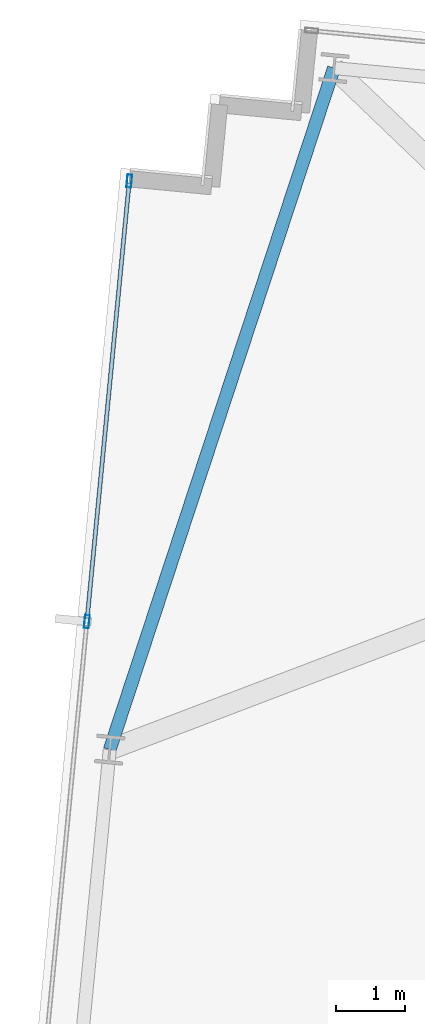
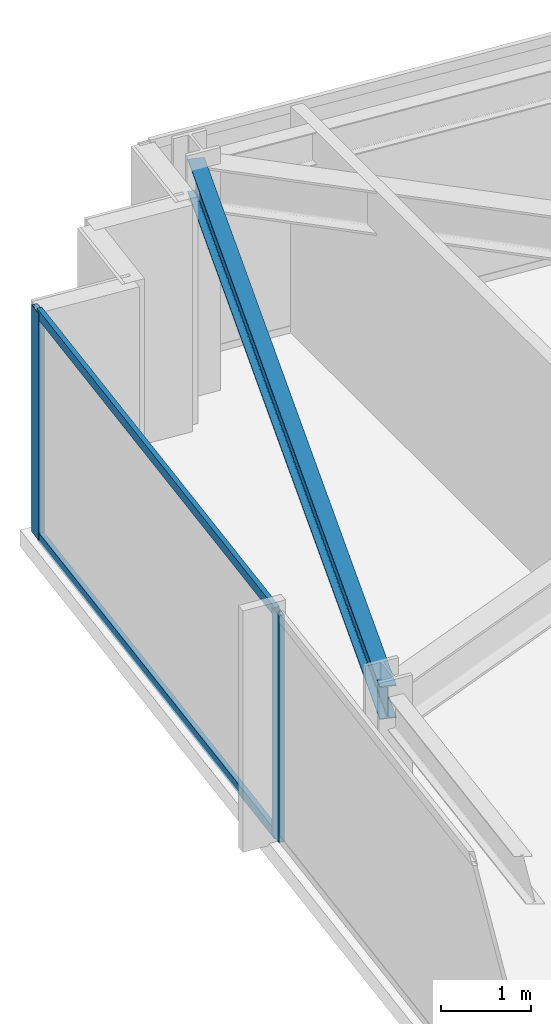
# One storey, part 21 of 37: 4 members, 1 beam, 1 element without a shape of its own.
"""IFC4 building model written with IfcOpenShell, lengths in metres."""

from ifc_helpers import new_model, si_unit, direction, frame, origin, origin_2d, place, context, subcontext, project, spatial, hollow_rectangle, i_section, extrude, material, material_profile, profile_set, type_object, element, aggregate, save


model = new_model("IFC4")

# Units and contexts
model_context = context("Model", 3, precision=1e-05, world=origin(), true_north=direction((0.0, 1.0)))
body_context = subcontext(model_context, "Body", "Model", "MODEL_VIEW")
ifc_project = project(units=[si_unit("LENGTHUNIT", "METRE"), si_unit("AREAUNIT", "SQUARE_METRE"), si_unit("VOLUMEUNIT", "CUBIC_METRE"), si_unit("PLANEANGLEUNIT", "RADIAN"), si_unit("MASSUNIT", "GRAM", prefix="KILO")], contexts=[model_context])

# Site, building, storey
site_placement = place(None, origin())
site = spatial("IfcSite", under=ifc_project, at=site_placement, CompositionType="ELEMENT")
building_placement = place(site_placement, origin())
building = spatial("IfcBuilding", under=site, at=building_placement, Name="Yelkora Congress Tower", CompositionType="ELEMENT")
storey_placement = place(building_placement, frame((0.0, 0.0, 162.199951171875)))
storey = spatial("IfcBuildingStorey", under=building, at=storey_placement, Name="L44", CompositionType="ELEMENT", Elevation=162.199951171875)

# Beam
ifc_material_1 = material(Name="Steel S355J2", Category="steel")
ifc_material_profile_1 = material_profile(ifc_material_1, i_section(OverallWidth=0.18994140625, OverallDepth=0.449951171875, WebThickness=0.009521484375, FlangeThickness=0.0146484375, FilletRadius=0.02099609375, at=origin_2d()), Name="IPE 450")
ifc_profile_set_1 = profile_set([ifc_material_profile_1], Name="Steel S355J2")
beam_type = type_object("IfcBeamType", Name="BM-SPAN-IPE450", PredefinedType="SPANDREL", material=ifc_profile_set_1)
beam_placement = place(storey_placement, frame((7.388916015625, 50.390625, 2.85498046875), z_axis=(-0.312456737339, -0.949931990877, 0.0), x_axis=(0.949931990877, -0.312456737339, 0.0)))
element("IfcBeam", 1, at=beam_placement, inside=storey, type_object=beam_type, Name="L44 Perimeter Beam 16", PredefinedType="SPANDREL", context=body_context, shape_type="SweptSolid", body=[
    extrude(i_section(OverallWidth=0.18994140625, OverallDepth=0.449951171875, WebThickness=0.009521484375, FlangeThickness=0.0146484375, FilletRadius=0.02099609375, at=origin_2d()), origin(), (0.0, 0.0, 1.0), 10.4560546875),
])

# Curtain wall, members
ifc_material_2 = material(Name="Anodised aluminium and insulated glass", Category="aluminium")
curtain_wall_type = type_object("IfcCurtainWallType", Name="CW-SYS-B3", PredefinedType="NOTDEFINED", material=ifc_material_2)
curtain_wall_placement = place(storey_placement, origin())
curtain_wall = element("IfcCurtainWall", 2, at=curtain_wall_placement, inside=storey, type_object=curtain_wall_type, Name="L44 Unitised Curtain Wall 5", PredefinedType="NOTDEFINED")
ifc_material_3 = material(Name="Anodised aluminium 6063-T6", Category="aluminium")
ifc_material_profile_2 = material_profile(ifc_material_3, hollow_rectangle(XDim=0.070068359375, YDim=0.18994140625, WallThickness=0.00390625, at=origin_2d()), Name="ALU 70x190x4")
ifc_profile_set_2 = profile_set([ifc_material_profile_2], Name="Anodised aluminium 6063-T6")
member_type_1 = type_object("IfcMemberType", Name="MEM-ML-B3", PredefinedType="MULLION", material=ifc_profile_set_2)
member_1_placement = place(storey_placement, frame((3.7890625, 42.324462890625, 0.0), z_axis=(0.0, 0.0, 1.0), x_axis=(-0.995396242473, 0.095845294465, 0.0)))
member_1 = element("IfcMember", 3, at=member_1_placement, type_object=member_type_1, Name="CW-B3 mullion 5", PredefinedType="MULLION", context=body_context, shape_type="SweptSolid", body=[
    extrude(hollow_rectangle(XDim=0.070068359375, YDim=0.18994140625, WallThickness=0.00390625, at=origin_2d()), origin(), (0.0, 0.0, 1.0), 3.080078125),
])
member_2_placement = place(storey_placement, frame((4.4072265625, 48.74365234375, 0.0), z_axis=(0.0, 0.0, 1.0), x_axis=(-0.995396242473, 0.095845294465, 0.0)))
member_2 = element("IfcMember", 4, at=member_2_placement, type_object=member_type_1, Name="CW-B3 mullion 6", PredefinedType="MULLION", context=body_context, shape_type="SweptSolid", body=[
    extrude(hollow_rectangle(XDim=0.070068359375, YDim=0.18994140625, WallThickness=0.00390625, at=origin_2d()), origin(), (0.0, 0.0, 1.0), 3.080078125),
])
ifc_material_profile_3 = material_profile(ifc_material_3, hollow_rectangle(XDim=0.06005859375, YDim=0.1298828125, WallThickness=0.00390625, at=origin_2d()), Name="ALU 60x130x4")
ifc_profile_set_3 = profile_set([ifc_material_profile_3], Name="Anodised aluminium 6063-T6")
member_type_2 = type_object("IfcMemberType", Name="MEM-TR-B3", PredefinedType="USERDEFINED", material=ifc_profile_set_3)
member_3_placement = place(storey_placement, frame((3.79248046875, 42.359375, 0.030029296875), z_axis=(0.095834923543, 0.99539724102, 0.0), x_axis=(-0.99539724102, 0.095834923543, 0.0)))
member_3 = element("IfcMember", 5, at=member_3_placement, type_object=member_type_2, Name="CW-B3 transom 5.1", ObjectType="TRANSOM", PredefinedType="USERDEFINED", context=body_context, shape_type="SweptSolid", body=[
    extrude(hollow_rectangle(XDim=0.06005859375, YDim=0.1298828125, WallThickness=0.00390625, at=origin_2d()), origin(), (0.0, 0.0, 1.0), 6.37890625),
])
member_4_placement = place(storey_placement, frame((3.79248046875, 42.359375, 3.050048828125), z_axis=(0.095834923543, 0.99539724102, 0.0), x_axis=(-0.99539724102, 0.095834923543, 0.0)))
member_4 = element("IfcMember", 6, at=member_4_placement, type_object=member_type_2, Name="CW-B3 transom 5.2", ObjectType="TRANSOM", PredefinedType="USERDEFINED", context=body_context, shape_type="SweptSolid", body=[
    extrude(hollow_rectangle(XDim=0.06005859375, YDim=0.1298828125, WallThickness=0.00390625, at=origin_2d()), origin(), (0.0, 0.0, 1.0), 6.37890625),
])
aggregate(curtain_wall, [member_1, member_2, member_3, member_4])

save(model, "model.ifc")
